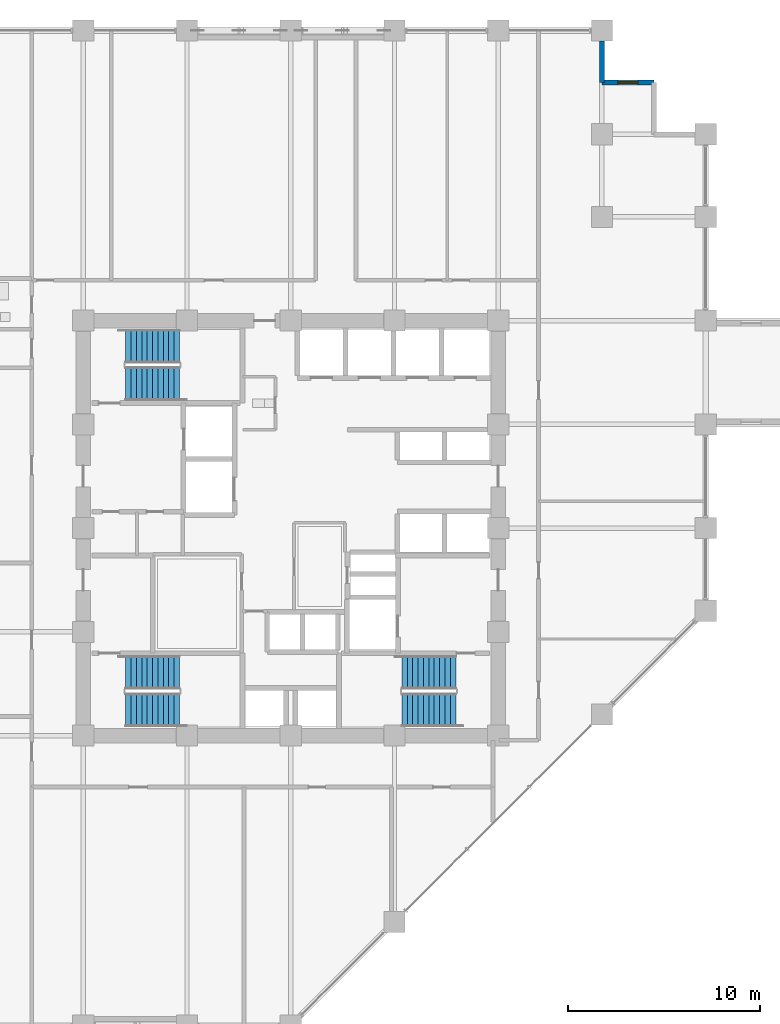
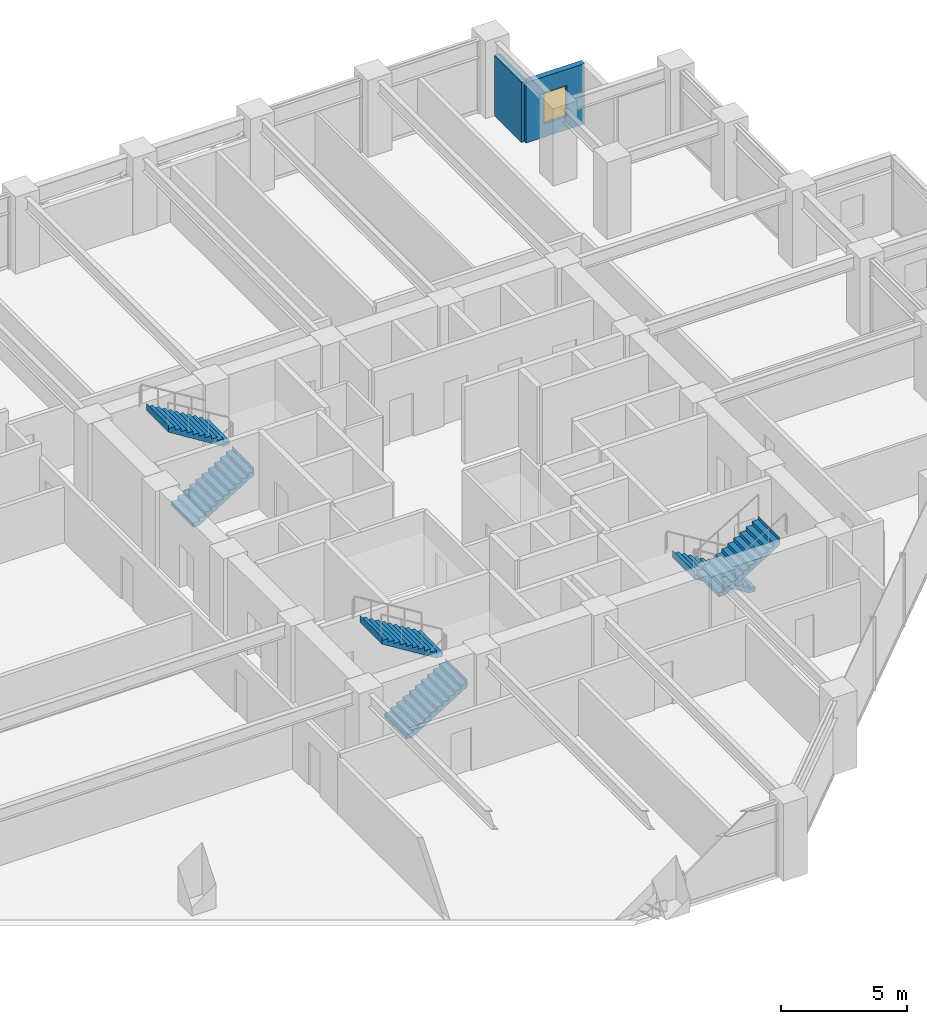
# One storey, part 25 of 29: 6 stair flights, 2 walls, 1 window, 1 opening, 3 elements without a shape of their own.
"""IFC4 building model written with IfcOpenShell, lengths in metres."""

from ifc_helpers import new_model, si_unit, direction, frame, frame_2d, origin, place, context, subcontext, project, spatial, polyline, rectangle, outline, extrude, material, layer, layer_set, type_object, element, fill, aggregate, save


model = new_model("IFC4")

# Units and contexts
model_context = context("Model", 3, precision=1e-05, world=origin(), true_north=direction((0.0, 1.0)))
body_context = subcontext(model_context, "Body", "Model", "MODEL_VIEW")
ifc_project = project(units=[si_unit("LENGTHUNIT", "METRE"), si_unit("AREAUNIT", "SQUARE_METRE"), si_unit("VOLUMEUNIT", "CUBIC_METRE"), si_unit("PLANEANGLEUNIT", "RADIAN"), si_unit("MASSUNIT", "GRAM", prefix="KILO")], contexts=[model_context])

# Site, building, storey
site_placement = place(None, origin())
site = spatial("IfcSite", under=ifc_project, at=site_placement, CompositionType="ELEMENT")
building_placement = place(site_placement, origin())
building = spatial("IfcBuilding", under=site, at=building_placement, Name="Surkhivell Harbour Commons", CompositionType="ELEMENT")
storey_placement = place(building_placement, frame((0.0, 0.0, 87.0)))
storey = spatial("IfcBuildingStorey", under=building, at=storey_placement, Name="L22", CompositionType="ELEMENT", Elevation=87.0)

# Wall, opening, window
ifc_material_1 = material(Name="Pale-metal insulated precast concrete C45/55", Category="concrete")
ifc_layer = layer(ifc_material_1, 0.260009765625)
ifc_layer_set = layer_set([ifc_layer], Name="Pale-metal insulated precast concrete C45/55")
wall_type = type_object("IfcWallType", Name="WAL-EXT-MTL260", PredefinedType="STANDARD", material=ifc_layer_set)
wall_1_placement = place(storey_placement, frame((18.89990234375, 23.199951171875, 0.0), z_axis=(0.0, 0.0, 1.0), x_axis=(-1.0, 0.0, 0.0)))
wall_1 = element("IfcWall", 1, at=wall_1_placement, inside=storey, type_object=wall_type, Name="L22 Serrated Corner Facade Wall 05", PredefinedType="STANDARD", context=body_context, shape_type="SweptSolid", body=[
    extrude(rectangle(XDim=2.699951171875, YDim=0.260009765625, at=frame_2d((1.35009765625, 0.0))), origin(), (0.0, 0.0, 1.0), 2.93310546875),
])
opening_placement = place(wall_1_placement, frame((0.824951171875, 0.0, 0.64990234375)))
opening = element("IfcOpeningElement", 2, at=opening_placement, cuts=wall_1, Name="Opening WN-11", PredefinedType="OPENING", context=body_context, shape_type="SweptSolid", body=[
    extrude(rectangle(XDim=1.050048828125, YDim=1.5, at=frame_2d((0.52490234375, 0.75))), frame((0.0, 0.139892578125, 0.0), z_axis=(0.0, -1.0, 0.0), x_axis=(1.0, 0.0, 0.0)), (0.0, 0.0, 1.0), 0.280029296875),
])
ifc_material_2 = material(Name="Thermal-break aluminium frame and double low-E glazing", Category="aluminium")
window_type = type_object("IfcWindowType", Name="WIN-SER-1050x1500", PartitioningType="SINGLE_PANEL", PredefinedType="WINDOW", material=ifc_material_2)
window_placement = place(opening_placement, origin())
window = element("IfcWindow", 3, at=window_placement, inside=storey, type_object=window_type, Name="L22 Serrated Alcove Window 05", OverallHeight=1.5, OverallWidth=1.050048828125, PartitioningType="SINGLE_PANEL", PredefinedType="WINDOW", context=body_context, shape_type="SweptSolid", body=[
    extrude(rectangle(XDim=1.050048828125, YDim=1.5, at=frame_2d((0.52490234375, 0.75))), frame((0.0, 0.030029296875, 0.0), z_axis=(0.0, -1.0, 0.0), x_axis=(1.0, 0.0, 0.0)), (0.0, 0.0, 1.0), 0.06005859375),
])
fill(opening, window)

# Wall
wall_2_placement = place(storey_placement, frame((16.199951171875, 23.199951171875, 0.0), z_axis=(0.0, 0.0, 1.0), x_axis=(0.0, 1.0, 0.0)))
element("IfcWall", 4, at=wall_2_placement, inside=storey, type_object=wall_type, Name="L22 Serrated Corner Facade Wall 06", PredefinedType="STANDARD", context=body_context, shape_type="SweptSolid", body=[
    extrude(rectangle(XDim=2.152099609375, YDim=0.260009765625, at=frame_2d((1.076171875, 0.0))), origin(), (0.0, 0.0, 1.0), 2.93310546875),
])

# Stair, stair flights
ifc_material_3 = material(Name="Precast concrete C45/55", Category="concrete")
stair_type = type_object("IfcStairType", Name="STR-DL-375", PredefinedType="HALF_TURN_STAIR", material=ifc_material_3)
stair_1_placement = place(storey_placement, origin())
stair_1 = element("IfcStair", 5, at=stair_1_placement, inside=storey, type_object=stair_type, Name="L22 Core Exit Stair ST1", PredefinedType="HALF_TURN_STAIR")
stair_flight_type = type_object("IfcStairFlightType", Name="STF-DL-375", PredefinedType="STRAIGHT", material=ifc_material_3)
stair_flight_1_placement = place(storey_placement, frame((-8.590087890625, 7.514892578125, 0.0), z_axis=(0.0, 0.0, 1.0), x_axis=(1.0, 0.0, 0.0)))
stair_flight_1 = element("IfcStairFlight", 6, at=stair_flight_1_placement, type_object=stair_flight_type, Name="ST1 flight 1", NumberOfRisers=11, NumberOfTreads=10, PredefinedType="STRAIGHT", RiserHeight=0.170454545, TreadLength=0.28, context=body_context, shape_type="SweptSolid", body=[
    extrude(outline(polyline([(-0.0029296875, -0.034912109375), (-0.0029296875, 0.0), (0.0, 0.0), (0.0, 0.17041015625), (0.280029296875, 0.17041015625), (0.280029296875, 0.3408203125), (0.56005859375, 0.3408203125), (0.56005859375, 0.511474609375), (0.840087890625, 0.511474609375), (0.840087890625, 0.681884765625), (1.1201171875, 0.681884765625), (1.1201171875, 0.852294921875), (1.39990234375, 0.852294921875), (1.39990234375, 1.022705078125), (1.679931640625, 1.022705078125), (1.679931640625, 1.193115234375), (1.9599609375, 1.193115234375), (1.9599609375, 1.363525390625), (2.239990234375, 1.363525390625), (2.239990234375, 1.5341796875), (2.52001953125, 1.5341796875), (2.52001953125, 1.70458984375), (2.800048828125, 1.70458984375), (2.800048828125, 1.875), (2.802978515625, 1.875), (2.802978515625, 1.529052734375), (0.288330078125, -0.034912109375), (-0.0029296875, -0.034912109375)])), frame((0.0, 0.875, 0.0), z_axis=(0.0, -1.0, 0.0), x_axis=(1.0, 0.0, 0.0)), (0.0, 0.0, 1.0), 1.75),
])
stair_flight_2_placement = place(storey_placement, frame((-5.7900390625, 9.465087890625, 1.875), z_axis=(0.0, 0.0, 1.0), x_axis=(-1.0, 0.0, 0.0)))
stair_flight_2 = element("IfcStairFlight", 7, at=stair_flight_2_placement, type_object=stair_flight_type, Name="ST1 flight 2", NumberOfRisers=11, NumberOfTreads=10, PredefinedType="STRAIGHT", RiserHeight=0.170454545, TreadLength=0.28, context=body_context, shape_type="SweptSolid", body=[
    extrude(outline(polyline([(-0.0029296875, -0.034912109375), (-0.0029296875, 0.0), (0.0, 0.0), (0.0, 0.17041015625), (0.280029296875, 0.17041015625), (0.280029296875, 0.3408203125), (0.56005859375, 0.3408203125), (0.56005859375, 0.511474609375), (0.840087890625, 0.511474609375), (0.840087890625, 0.681884765625), (1.1201171875, 0.681884765625), (1.1201171875, 0.852294921875), (1.39990234375, 0.852294921875), (1.39990234375, 1.022705078125), (1.679931640625, 1.022705078125), (1.679931640625, 1.193115234375), (1.9599609375, 1.193115234375), (1.9599609375, 1.363525390625), (2.239990234375, 1.363525390625), (2.239990234375, 1.5341796875), (2.52001953125, 1.5341796875), (2.52001953125, 1.70458984375), (2.800048828125, 1.70458984375), (2.800048828125, 1.875), (2.802978515625, 1.875), (2.802978515625, 1.529052734375), (0.288330078125, -0.034912109375), (-0.0029296875, -0.034912109375)])), frame((0.0, 0.875, 0.0), z_axis=(0.0, -1.0, 0.0), x_axis=(1.0, 0.0, 0.0)), (0.0, 0.0, 1.0), 1.75),
])
aggregate(stair_1, [stair_flight_1, stair_flight_2])

stair_2_placement = place(storey_placement, origin())
stair_2 = element("IfcStair", 8, at=stair_2_placement, inside=storey, type_object=stair_type, Name="L22 Core Exit Stair ST2", PredefinedType="HALF_TURN_STAIR")
stair_flight_3_placement = place(storey_placement, frame((8.590087890625, -7.514892578125, 0.0), z_axis=(0.0, 0.0, 1.0), x_axis=(-1.0, 0.0, 0.0)))
stair_flight_3 = element("IfcStairFlight", 9, at=stair_flight_3_placement, type_object=stair_flight_type, Name="ST2 flight 1", NumberOfRisers=11, NumberOfTreads=10, PredefinedType="STRAIGHT", RiserHeight=0.170454545, TreadLength=0.28, context=body_context, shape_type="SweptSolid", body=[
    extrude(outline(polyline([(-0.0029296875, -0.034912109375), (-0.0029296875, 0.0), (0.0, 0.0), (0.0, 0.17041015625), (0.280029296875, 0.17041015625), (0.280029296875, 0.3408203125), (0.56005859375, 0.3408203125), (0.56005859375, 0.511474609375), (0.840087890625, 0.511474609375), (0.840087890625, 0.681884765625), (1.1201171875, 0.681884765625), (1.1201171875, 0.852294921875), (1.39990234375, 0.852294921875), (1.39990234375, 1.022705078125), (1.679931640625, 1.022705078125), (1.679931640625, 1.193115234375), (1.9599609375, 1.193115234375), (1.9599609375, 1.363525390625), (2.239990234375, 1.363525390625), (2.239990234375, 1.5341796875), (2.52001953125, 1.5341796875), (2.52001953125, 1.70458984375), (2.800048828125, 1.70458984375), (2.800048828125, 1.875), (2.802978515625, 1.875), (2.802978515625, 1.529052734375), (0.288330078125, -0.034912109375), (-0.0029296875, -0.034912109375)])), frame((0.0, 0.875, 0.0), z_axis=(0.0, -1.0, 0.0), x_axis=(1.0, 0.0, 0.0)), (0.0, 0.0, 1.0), 1.75),
])
stair_flight_4_placement = place(storey_placement, frame((5.7900390625, -9.465087890625, 1.875), z_axis=(0.0, 0.0, 1.0), x_axis=(1.0, 0.0, 0.0)))
stair_flight_4 = element("IfcStairFlight", 10, at=stair_flight_4_placement, type_object=stair_flight_type, Name="ST2 flight 2", NumberOfRisers=11, NumberOfTreads=10, PredefinedType="STRAIGHT", RiserHeight=0.170454545, TreadLength=0.28, context=body_context, shape_type="SweptSolid", body=[
    extrude(outline(polyline([(-0.0029296875, -0.034912109375), (-0.0029296875, 0.0), (0.0, 0.0), (0.0, 0.17041015625), (0.280029296875, 0.17041015625), (0.280029296875, 0.3408203125), (0.56005859375, 0.3408203125), (0.56005859375, 0.511474609375), (0.840087890625, 0.511474609375), (0.840087890625, 0.681884765625), (1.1201171875, 0.681884765625), (1.1201171875, 0.852294921875), (1.39990234375, 0.852294921875), (1.39990234375, 1.022705078125), (1.679931640625, 1.022705078125), (1.679931640625, 1.193115234375), (1.9599609375, 1.193115234375), (1.9599609375, 1.363525390625), (2.239990234375, 1.363525390625), (2.239990234375, 1.5341796875), (2.52001953125, 1.5341796875), (2.52001953125, 1.70458984375), (2.800048828125, 1.70458984375), (2.800048828125, 1.875), (2.802978515625, 1.875), (2.802978515625, 1.529052734375), (0.288330078125, -0.034912109375), (-0.0029296875, -0.034912109375)])), frame((0.0, 0.875, 0.0), z_axis=(0.0, -1.0, 0.0), x_axis=(1.0, 0.0, 0.0)), (0.0, 0.0, 1.0), 1.75),
])
aggregate(stair_2, [stair_flight_3, stair_flight_4])

stair_3_placement = place(storey_placement, origin())
stair_3 = element("IfcStair", 11, at=stair_3_placement, inside=storey, type_object=stair_type, Name="L22 Core Exit Stair ST3", PredefinedType="HALF_TURN_STAIR")
stair_flight_5_placement = place(storey_placement, frame((-8.590087890625, -9.465087890625, 0.0), z_axis=(0.0, 0.0, 1.0), x_axis=(1.0, 0.0, 0.0)))
stair_flight_5 = element("IfcStairFlight", 12, at=stair_flight_5_placement, type_object=stair_flight_type, Name="ST3 flight 1", NumberOfRisers=11, NumberOfTreads=10, PredefinedType="STRAIGHT", RiserHeight=0.170454545, TreadLength=0.28, context=body_context, shape_type="SweptSolid", body=[
    extrude(outline(polyline([(-0.0029296875, -0.034912109375), (-0.0029296875, 0.0), (0.0, 0.0), (0.0, 0.17041015625), (0.280029296875, 0.17041015625), (0.280029296875, 0.3408203125), (0.56005859375, 0.3408203125), (0.56005859375, 0.511474609375), (0.840087890625, 0.511474609375), (0.840087890625, 0.681884765625), (1.1201171875, 0.681884765625), (1.1201171875, 0.852294921875), (1.39990234375, 0.852294921875), (1.39990234375, 1.022705078125), (1.679931640625, 1.022705078125), (1.679931640625, 1.193115234375), (1.9599609375, 1.193115234375), (1.9599609375, 1.363525390625), (2.239990234375, 1.363525390625), (2.239990234375, 1.5341796875), (2.52001953125, 1.5341796875), (2.52001953125, 1.70458984375), (2.800048828125, 1.70458984375), (2.800048828125, 1.875), (2.802978515625, 1.875), (2.802978515625, 1.529052734375), (0.288330078125, -0.034912109375), (-0.0029296875, -0.034912109375)])), frame((0.0, 0.875, 0.0), z_axis=(0.0, -1.0, 0.0), x_axis=(1.0, 0.0, 0.0)), (0.0, 0.0, 1.0), 1.75),
])
stair_flight_6_placement = place(storey_placement, frame((-5.7900390625, -7.514892578125, 1.875), z_axis=(0.0, 0.0, 1.0), x_axis=(-1.0, 0.0, 0.0)))
stair_flight_6 = element("IfcStairFlight", 13, at=stair_flight_6_placement, type_object=stair_flight_type, Name="ST3 flight 2", NumberOfRisers=11, NumberOfTreads=10, PredefinedType="STRAIGHT", RiserHeight=0.170454545, TreadLength=0.28, context=body_context, shape_type="SweptSolid", body=[
    extrude(outline(polyline([(-0.0029296875, -0.034912109375), (-0.0029296875, 0.0), (0.0, 0.0), (0.0, 0.17041015625), (0.280029296875, 0.17041015625), (0.280029296875, 0.3408203125), (0.56005859375, 0.3408203125), (0.56005859375, 0.511474609375), (0.840087890625, 0.511474609375), (0.840087890625, 0.681884765625), (1.1201171875, 0.681884765625), (1.1201171875, 0.852294921875), (1.39990234375, 0.852294921875), (1.39990234375, 1.022705078125), (1.679931640625, 1.022705078125), (1.679931640625, 1.193115234375), (1.9599609375, 1.193115234375), (1.9599609375, 1.363525390625), (2.239990234375, 1.363525390625), (2.239990234375, 1.5341796875), (2.52001953125, 1.5341796875), (2.52001953125, 1.70458984375), (2.800048828125, 1.70458984375), (2.800048828125, 1.875), (2.802978515625, 1.875), (2.802978515625, 1.529052734375), (0.288330078125, -0.034912109375), (-0.0029296875, -0.034912109375)])), frame((0.0, 0.875, 0.0), z_axis=(0.0, -1.0, 0.0), x_axis=(1.0, 0.0, 0.0)), (0.0, 0.0, 1.0), 1.75),
])
aggregate(stair_3, [stair_flight_5, stair_flight_6])

save(model, "model.ifc")
